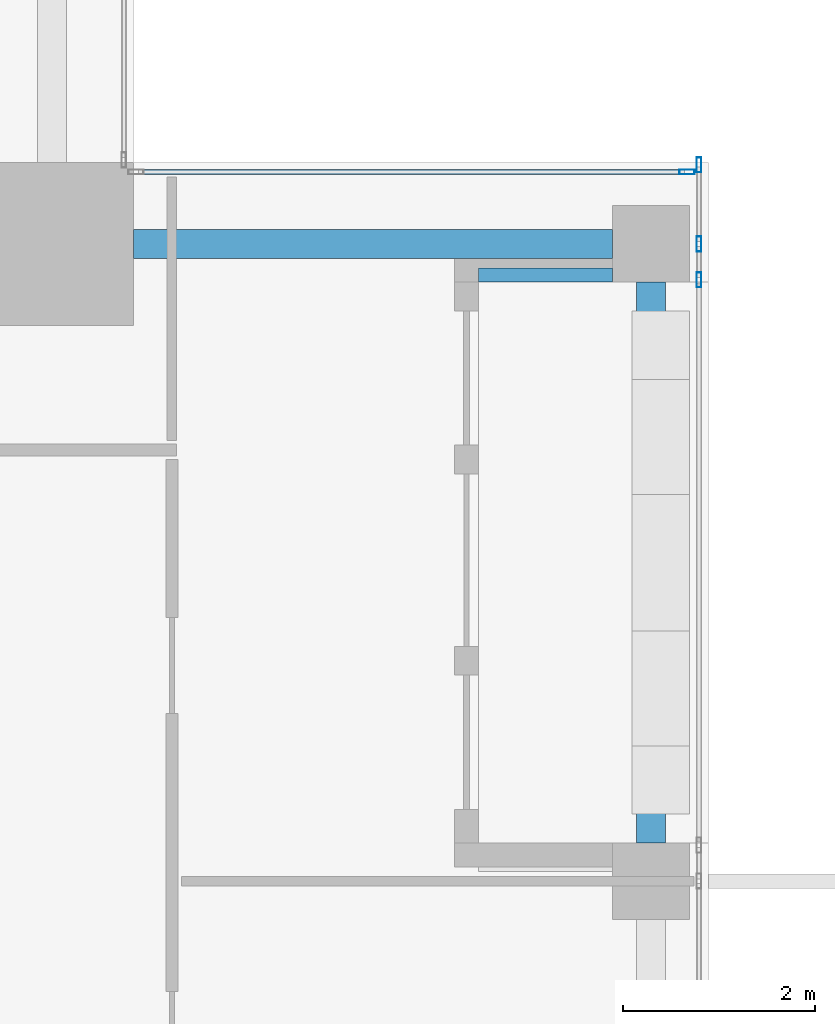
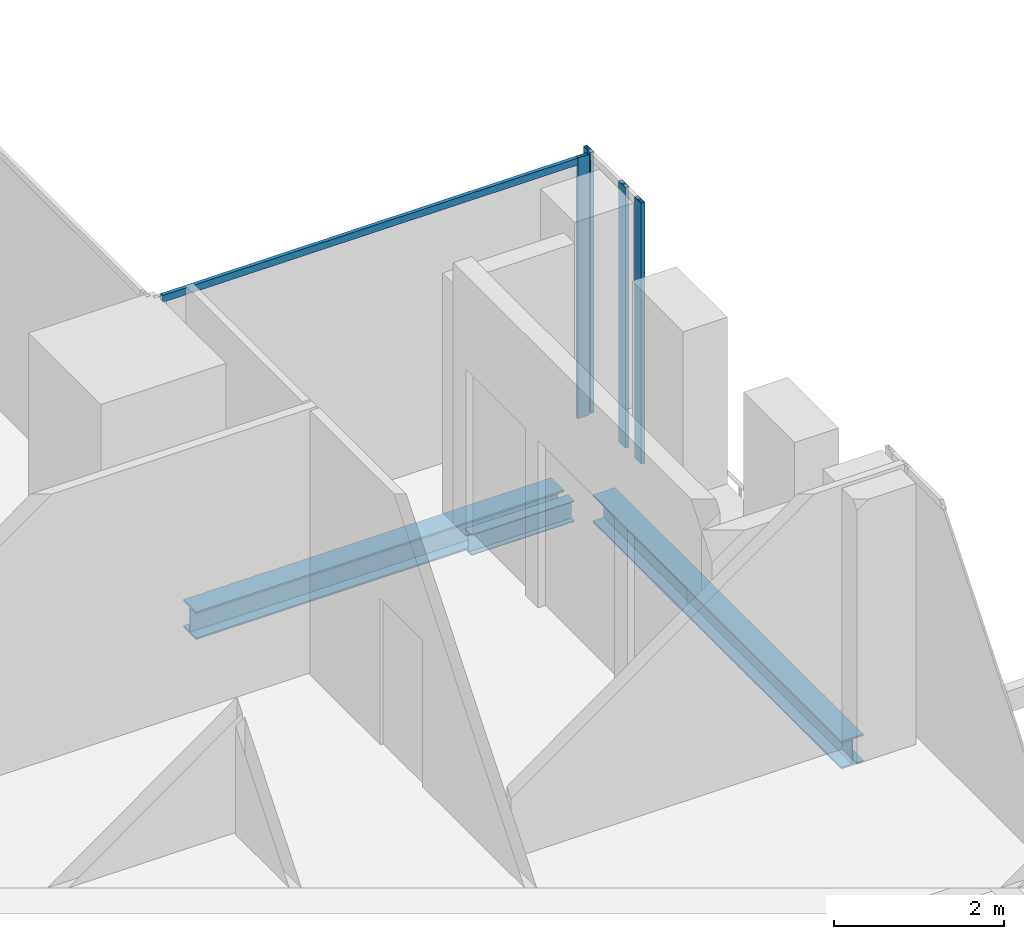
# One storey, part 18 of 32: 5 members, 3 beams, 2 elements without a shape of their own.
"""IFC4 building model written with IfcOpenShell, lengths in metres."""

from ifc_helpers import new_model, si_unit, direction, frame, origin, origin_2d, place, context, subcontext, project, spatial, hollow_rectangle, i_section, extrude, source, transform, mapped, material, material_profile, profile_set, type_object, element, aggregate, save


model = new_model("IFC4")

# Units and contexts
model_context = context("Model", 3, precision=1e-05, world=origin(), true_north=direction((0.0, 1.0)))
body_context = subcontext(model_context, "Body", "Model", "MODEL_VIEW")
ifc_project = project(units=[si_unit("LENGTHUNIT", "METRE"), si_unit("AREAUNIT", "SQUARE_METRE"), si_unit("VOLUMEUNIT", "CUBIC_METRE"), si_unit("PLANEANGLEUNIT", "RADIAN"), si_unit("MASSUNIT", "GRAM", prefix="KILO")], contexts=[model_context])

# Site, building, storey
site_placement = place(None, origin())
site = spatial("IfcSite", under=ifc_project, at=site_placement, CompositionType="ELEMENT")
building_placement = place(site_placement, origin())
building = spatial("IfcBuilding", under=site, at=building_placement, Name="Khomas Fold Tower", CompositionType="ELEMENT")
storey_placement = place(building_placement, frame((0.0, 0.0, 306.199951171875)))
storey = spatial("IfcBuildingStorey", under=building, at=storey_placement, Name="L69", CompositionType="ELEMENT", Elevation=306.199951171875)

# Beams
ifc_material_1 = material(Name="Steel S355", Category="steel")
ifc_material_profile_1 = material_profile(ifc_material_1, i_section(OverallWidth=0.300048828125, OverallDepth=0.39990234375, WebThickness=0.013427734375, FlangeThickness=0.02392578125, at=origin_2d()), Name="HE 400 B")
ifc_profile_set_1 = profile_set([ifc_material_profile_1], Name="Steel S355")
beam_type_1 = type_object("IfcBeamType", Name="HE 400 B spandrel SB5", PredefinedType="SPANDREL", material=ifc_profile_set_1)
shared_shape_1 = source(origin(), body_context, "Body", "SweptSolid", [
    extrude(i_section(OverallWidth=0.300048828125, OverallDepth=0.39990234375, WebThickness=0.013427734375, FlangeThickness=0.02392578125, at=origin_2d()), origin(), (0.0, 0.0, 1.0), 5.85009765625),
])
beam_1_placement = place(storey_placement, frame((47.39990234375, 34.89990234375, -0.449951171875), z_axis=(0.0, 1.0, 0.0), x_axis=(-1.0, 0.0, 0.0)))
element("IfcBeam", 1, at=beam_1_placement, inside=storey, type_object=beam_type_1, Name="SB5", PredefinedType="SPANDREL", context=body_context, shape_type="MappedRepresentation", body=[
    mapped(shared_shape_1, transform((0.0, 0.0, 0.0))),
])
shared_shape_2 = source(origin(), body_context, "Body", "SweptSolid", [
    extrude(i_section(OverallWidth=0.300048828125, OverallDepth=0.39990234375, WebThickness=0.013427734375, FlangeThickness=0.02392578125, at=origin_2d()), origin(), (0.0, 0.0, 1.0), 5.0),
])
beam_2_placement = place(storey_placement, frame((42.0, 41.14990234375, -0.449951171875), z_axis=(1.0, 0.0, 0.0), x_axis=(0.0, 1.0, 0.0)))
element("IfcBeam", 2, at=beam_2_placement, inside=storey, type_object=beam_type_1, Name="SB5", PredefinedType="SPANDREL", context=body_context, shape_type="MappedRepresentation", body=[
    mapped(shared_shape_2, transform((0.0, 0.0, 0.0))),
])
ifc_material_2 = material(Name="Steel S355", Category="steel")
ifc_material_profile_2 = material_profile(ifc_material_2, i_section(OverallWidth=0.14990234375, OverallDepth=0.300048828125, WebThickness=0.007080078125, FlangeThickness=0.0107421875, at=origin_2d()), Name="IPE 300")
ifc_profile_set_2 = profile_set([ifc_material_profile_2], Name="Steel S355")
beam_type_2 = type_object("IfcBeamType", Name="IPE 300 beam BB2", PredefinedType="BEAM", material=ifc_profile_set_2)
shared_shape_3 = source(origin(), body_context, "Body", "SweptSolid", [
    extrude(i_section(OverallWidth=0.14990234375, OverallDepth=0.300048828125, WebThickness=0.007080078125, FlangeThickness=0.0107421875, at=origin_2d()), origin(), (0.0, 0.0, 1.0), 1.39990234375),
])
beam_3_placement = place(storey_placement, frame((45.60009765625, 40.824951171875, -0.39990234375), z_axis=(1.0, 0.0, 0.0), x_axis=(0.0, 1.0, 0.0)))
element("IfcBeam", 3, at=beam_3_placement, inside=storey, type_object=beam_type_2, Name="BB2", PredefinedType="BEAM", context=body_context, shape_type="MappedRepresentation", body=[
    mapped(shared_shape_3, transform((0.0, 0.0, 0.0))),
])

# Curtain wall, members
ifc_material_3 = material(Name="Aluminium framed double glazing", Category="aluminium")
curtain_wall_type = type_object("IfcCurtainWallType", Name="SK-Unitised clear-glass wall, upper floors CW3", PredefinedType="NOTDEFINED", material=ifc_material_3)
curtain_wall_1_placement = place(storey_placement, origin())
curtain_wall_1 = element("IfcCurtainWall", 4, at=curtain_wall_1_placement, inside=storey, type_object=curtain_wall_type, Name="CW3 run L69 03-1", PredefinedType="NOTDEFINED")
ifc_material_4 = material(Name="Aluminium", Category="aluminium")
ifc_material_profile_3 = material_profile(ifc_material_4, hollow_rectangle(XDim=0.050048828125, YDim=0.159912109375, WallThickness=0.00390625, at=origin_2d()), Name="SK-Unitised clear-glass wall, upper floors mullion CW3-M")
ifc_profile_set_3 = profile_set([ifc_material_profile_3], Name="Aluminium")
member_type_1 = type_object("IfcMemberType", Name="SK-Unitised clear-glass wall, upper floors mullion CW3-M", PredefinedType="MULLION", material=ifc_profile_set_3)
shared_shape_4 = source(origin(), body_context, "Body", "SweptSolid", [
    extrude(hollow_rectangle(XDim=0.050048828125, YDim=0.159912109375, WallThickness=0.00390625, at=origin_2d()), origin(), (0.0, 0.0, 1.0), 3.75),
])
member_1_placement = place(storey_placement, frame((47.89990234375, 40.77490234375, 0.0), z_axis=(0.0, 0.0, 1.0), x_axis=(-1.0, 0.0, 0.0)))
member_1 = element("IfcMember", 5, at=member_1_placement, type_object=member_type_1, Name="CW3 mullion 1", PredefinedType="MULLION", context=body_context, shape_type="MappedRepresentation", body=[
    mapped(shared_shape_4, transform((0.0, 0.0, 0.0))),
])
member_2_placement = place(storey_placement, frame((47.89990234375, 41.14990234375, 0.0), z_axis=(0.0, 0.0, 1.0), x_axis=(-1.0, 0.0, 0.0)))
member_2 = element("IfcMember", 6, at=member_2_placement, type_object=member_type_1, Name="CW3 mullion 2", PredefinedType="MULLION", context=body_context, shape_type="MappedRepresentation", body=[
    mapped(shared_shape_4, transform((0.0, 0.0, 0.0))),
])
member_3_placement = place(storey_placement, frame((47.89990234375, 41.97509765625, 0.0), z_axis=(0.0, 0.0, 1.0), x_axis=(-1.0, 0.0, 0.0)))
member_3 = element("IfcMember", 7, at=member_3_placement, type_object=member_type_1, Name="CW3 mullion 3", PredefinedType="MULLION", context=body_context, shape_type="MappedRepresentation", body=[
    mapped(shared_shape_4, transform((0.0, 0.0, 0.0))),
])
aggregate(curtain_wall_1, [member_1, member_2, member_3])

curtain_wall_2_placement = place(storey_placement, origin())
curtain_wall_2 = element("IfcCurtainWall", 8, at=curtain_wall_2_placement, inside=storey, type_object=curtain_wall_type, Name="CW3 corner return L69 04", PredefinedType="NOTDEFINED")
member_4_placement = place(storey_placement, frame((47.77490234375, 41.89990234375, 0.0), z_axis=(0.0, 0.0, 1.0), x_axis=(0.0, -1.0, 0.0)))
member_4 = element("IfcMember", 9, at=member_4_placement, type_object=member_type_1, Name="CW3 mullion 1", PredefinedType="MULLION", context=body_context, shape_type="MappedRepresentation", body=[
    mapped(shared_shape_4, transform((0.0, 0.0, 0.0))),
])
ifc_material_5 = material(Name="Aluminium", Category="aluminium")
ifc_material_profile_4 = material_profile(ifc_material_5, hollow_rectangle(XDim=0.050048828125, YDim=0.10009765625, WallThickness=0.00390625, at=origin_2d()), Name="SK-Unitised clear-glass wall, upper floors transom CW3-T")
ifc_profile_set_4 = profile_set([ifc_material_profile_4], Name="Aluminium")
member_type_2 = type_object("IfcMemberType", Name="SK-Unitised clear-glass wall, upper floors transom CW3-T", PredefinedType="USERDEFINED", material=ifc_profile_set_4)
shared_shape_5 = source(origin(), body_context, "Body", "SweptSolid", [
    extrude(hollow_rectangle(XDim=0.050048828125, YDim=0.10009765625, WallThickness=0.00390625, at=origin_2d()), origin(), (0.0, 0.0, 1.0), 5.699951171875),
])
member_5_placement = place(storey_placement, frame((47.75, 41.89990234375, 3.699951171875), z_axis=(-1.0, 0.0, 0.0), x_axis=(0.0, -1.0, 0.0)))
member_5 = element("IfcMember", 10, at=member_5_placement, type_object=member_type_2, Name="CW3 transom 1", ObjectType="TRANSOM", PredefinedType="USERDEFINED", context=body_context, shape_type="MappedRepresentation", body=[
    mapped(shared_shape_5, transform((0.0, 0.0, 0.0))),
])
aggregate(curtain_wall_2, [member_4, member_5])

save(model, "model.ifc")
